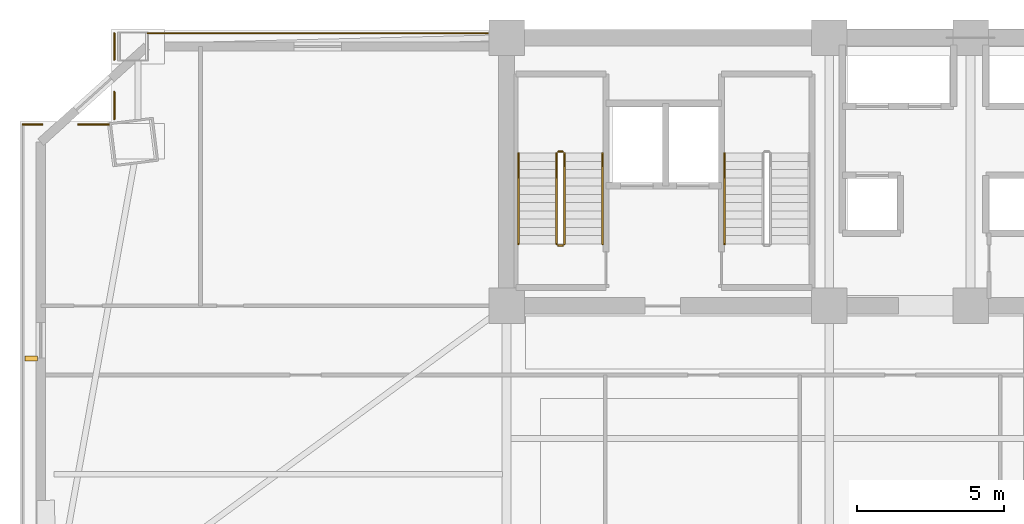
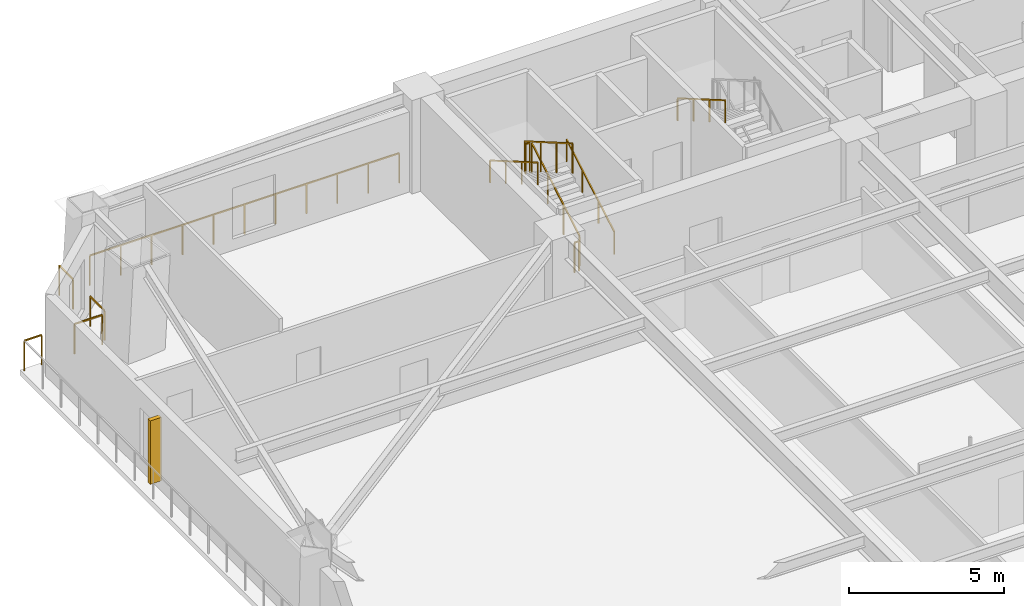
# One storey, part 14 of 16: 12 railings, 1 shading device.
"""IFC4 building model written with IfcOpenShell, lengths in metres."""

from ifc_helpers import new_model, si_unit, direction, frame, origin, origin_2d, place, context, subcontext, project, spatial, rectangle, extrude, source, transform, mapped, material, type_object, element, save


model = new_model("IFC4")

# Units and contexts
model_context = context("Model", 3, precision=1e-05, world=origin(), true_north=direction((0.0, 1.0)))
body_context = subcontext(model_context, "Body", "Model", "MODEL_VIEW")
ifc_project = project(units=[si_unit("LENGTHUNIT", "METRE"), si_unit("AREAUNIT", "SQUARE_METRE"), si_unit("VOLUMEUNIT", "CUBIC_METRE"), si_unit("PLANEANGLEUNIT", "RADIAN"), si_unit("MASSUNIT", "GRAM", prefix="KILO")], contexts=[model_context])

# Site, building, storey
site_placement = place(None, origin())
site = spatial("IfcSite", under=ifc_project, at=site_placement, CompositionType="ELEMENT")
building_placement = place(site_placement, origin())
building = spatial("IfcBuilding", under=site, at=building_placement, Name="Giltprow Tower", CompositionType="ELEMENT")
storey_placement = place(building_placement, frame((0.0, 0.0, 83.5)))
storey = spatial("IfcBuildingStorey", under=building, at=storey_placement, Name="L20", CompositionType="ELEMENT", Elevation=83.5)

# Railings
ifc_material = material(Name="Anodized bronze", Category="metal")
railing_type_1 = type_object("IfcRailingType", Name="RAIL-BALC-GUARD-1200", PredefinedType="BALUSTRADE", material=ifc_material)
railing_1_placement = place(storey_placement, frame((3.43994140625, 43.60400390625, 0.0)))
element("IfcRailing", 1, at=railing_1_placement, inside=storey, type_object=railing_type_1, Name="L20 Corner Apron Edge Balustrade 6", PredefinedType="BALUSTRADE", context=body_context, shape_type="SweptSolid", body=[
    extrude(rectangle(XDim=0.048095703125, YDim=0.048095703125, at=origin_2d()), frame((0.0, 0.0, 1.17578125), z_axis=(1.0, 0.0, 0.0), x_axis=(0.0, 1.0, 0.0)), (0.0, 0.0, 1.0), 0.653076171875),
    extrude(rectangle(XDim=0.0419921875, YDim=0.0419921875, at=origin_2d()), origin(), (0.0, 0.0, 1.0), 1.15185546875),
    extrude(rectangle(XDim=0.0419921875, YDim=0.0419921875, at=origin_2d()), frame((0.653076171875, 0.0, 0.0)), (0.0, 0.0, 1.0), 1.15185546875),
])
railing_2_placement = place(storey_placement, frame((5.31689453125, 43.60400390625, 0.0)))
element("IfcRailing", 2, at=railing_2_placement, inside=storey, type_object=railing_type_1, Name="L20 Corner Apron Edge Balustrade 7", PredefinedType="BALUSTRADE", context=body_context, shape_type="SweptSolid", body=[
    extrude(rectangle(XDim=0.048095703125, YDim=0.048095703125, at=origin_2d()), frame((0.0, 0.0, 1.17578125), z_axis=(1.0, 0.0, 0.0), x_axis=(0.0, 1.0, 0.0)), (0.0, 0.0, 1.0), 1.0341796875),
    extrude(rectangle(XDim=0.0419921875, YDim=0.0419921875, at=origin_2d()), origin(), (0.0, 0.0, 1.0), 1.15185546875),
    extrude(rectangle(XDim=0.0419921875, YDim=0.0419921875, at=origin_2d()), frame((1.0341796875, 0.0, 0.0)), (0.0, 0.0, 1.0), 1.15185546875),
])
railing_3_placement = place(storey_placement, frame((6.535888671875, 43.7890625, 0.0)))
element("IfcRailing", 3, at=railing_3_placement, inside=storey, type_object=railing_type_1, Name="L20 Corner Apron Edge Balustrade 8", PredefinedType="BALUSTRADE", context=body_context, shape_type="SweptSolid", body=[
    extrude(rectangle(XDim=0.048095703125, YDim=0.048095703125, at=origin_2d()), frame((0.0, 0.0, 1.17578125), z_axis=(0.0, 1.0, 0.0), x_axis=(-1.0, 0.0, 0.0)), (0.0, 0.0, 1.0), 0.916015625),
    extrude(rectangle(XDim=0.0419921875, YDim=0.0419921875, at=origin_2d()), origin(), (0.0, 0.0, 1.0), 1.15185546875),
    extrude(rectangle(XDim=0.0419921875, YDim=0.0419921875, at=origin_2d()), frame((0.0, 0.916015625, 0.0)), (0.0, 0.0, 1.0), 1.15185546875),
])
railing_4_placement = place(storey_placement, frame((6.535888671875, 45.80908203125, 0.0)))
element("IfcRailing", 4, at=railing_4_placement, inside=storey, type_object=railing_type_1, Name="L20 Corner Apron Edge Balustrade 9", PredefinedType="BALUSTRADE", context=body_context, shape_type="SweptSolid", body=[
    extrude(rectangle(XDim=0.048095703125, YDim=0.048095703125, at=origin_2d()), frame((0.0, 0.0, 1.17578125), z_axis=(0.0, 1.0, 0.0), x_axis=(-1.0, 0.0, 0.0)), (0.0, 0.0, 1.0), 0.890869140625),
    extrude(rectangle(XDim=0.0419921875, YDim=0.0419921875, at=origin_2d()), origin(), (0.0, 0.0, 1.0), 1.15185546875),
    extrude(rectangle(XDim=0.0419921875, YDim=0.0419921875, at=origin_2d()), frame((0.0, 0.890869140625, 0.0)), (0.0, 0.0, 1.0), 1.15185546875),
])
railing_5_placement = place(storey_placement, frame((7.6708984375, 46.699951171875, 0.0)))
element("IfcRailing", 5, at=railing_5_placement, inside=storey, type_object=railing_type_1, Name="L20 Corner Apron Edge Balustrade 10", PredefinedType="BALUSTRADE", context=body_context, shape_type="SweptSolid", body=[
    extrude(rectangle(XDim=0.048095703125, YDim=0.048095703125, at=origin_2d()), frame((0.0, 0.0, 1.17578125), z_axis=(1.0, 0.0, 0.0), x_axis=(0.0, 1.0, 0.0)), (0.0, 0.0, 1.0), 11.544189453125),
    extrude(rectangle(XDim=0.0419921875, YDim=0.0419921875, at=origin_2d()), origin(), (0.0, 0.0, 1.0), 1.15185546875),
    extrude(rectangle(XDim=0.0419921875, YDim=0.0419921875, at=origin_2d()), frame((1.154296875, 0.0, 0.0)), (0.0, 0.0, 1.0), 1.15185546875),
    extrude(rectangle(XDim=0.0419921875, YDim=0.0419921875, at=origin_2d()), frame((2.308837890625, 0.0, 0.0)), (0.0, 0.0, 1.0), 1.15185546875),
    extrude(rectangle(XDim=0.0419921875, YDim=0.0419921875, at=origin_2d()), frame((3.46337890625, 0.0, 0.0)), (0.0, 0.0, 1.0), 1.15185546875),
    extrude(rectangle(XDim=0.0419921875, YDim=0.0419921875, at=origin_2d()), frame((4.61767578125, 0.0, 0.0)), (0.0, 0.0, 1.0), 1.15185546875),
    extrude(rectangle(XDim=0.0419921875, YDim=0.0419921875, at=origin_2d()), frame((5.77197265625, 0.0, 0.0)), (0.0, 0.0, 1.0), 1.15185546875),
    extrude(rectangle(XDim=0.0419921875, YDim=0.0419921875, at=origin_2d()), frame((6.926513671875, 0.0, 0.0)), (0.0, 0.0, 1.0), 1.15185546875),
    extrude(rectangle(XDim=0.0419921875, YDim=0.0419921875, at=origin_2d()), frame((8.0810546875, 0.0, 0.0)), (0.0, 0.0, 1.0), 1.15185546875),
    extrude(rectangle(XDim=0.0419921875, YDim=0.0419921875, at=origin_2d()), frame((9.2353515625, 0.0, 0.0)), (0.0, 0.0, 1.0), 1.15185546875),
    extrude(rectangle(XDim=0.0419921875, YDim=0.0419921875, at=origin_2d()), frame((10.3896484375, 0.0, 0.0)), (0.0, 0.0, 1.0), 1.15185546875),
    extrude(rectangle(XDim=0.0419921875, YDim=0.0419921875, at=origin_2d()), frame((11.544189453125, 0.0, 0.0)), (0.0, 0.0, 1.0), 1.15185546875),
])
railing_type_2 = type_object("IfcRailingType", Name="RAIL-STAIR-GUARD-1200", PredefinedType="GUARDRAIL", material=ifc_material)
railing_6_placement = place(storey_placement, frame((21.81005859375, 39.550048828125, 0.16259765625)))
element("IfcRailing", 6, at=railing_6_placement, inside=storey, type_object=railing_type_2, Name="L20 ST-1 stair guard 1", PredefinedType="GUARDRAIL", context=body_context, shape_type="SweptSolid", body=[
    extrude(rectangle(XDim=0.048095703125, YDim=0.048095703125, at=origin_2d()), frame((0.0, 0.0, 1.17578125), z_axis=(0.0, 0.864903211148, 0.501938676878), x_axis=(-1.0, 0.0, 0.0)), (0.0, 0.0, 1.0), 3.560791015625),
    extrude(rectangle(XDim=0.0419921875, YDim=0.0419921875, at=origin_2d()), origin(), (0.0, 0.0, 1.0), 1.15185546875),
    extrude(rectangle(XDim=0.0419921875, YDim=0.0419921875, at=origin_2d()), frame((0.0, 1.026611328125, 0.595703125)), (0.0, 0.0, 1.0), 1.15185546875),
    extrude(rectangle(XDim=0.0419921875, YDim=0.0419921875, at=origin_2d()), frame((0.0, 2.05322265625, 1.191650390625)), (0.0, 0.0, 1.0), 1.15185546875),
    extrude(rectangle(XDim=0.0419921875, YDim=0.0419921875, at=origin_2d()), frame((0.0, 3.079833984375, 1.787353515625)), (0.0, 0.0, 1.0), 1.15185546875),
])
railing_7_placement = place(storey_placement, frame((21.760009765625, 42.679931640625, 1.949951171875)))
element("IfcRailing", 7, at=railing_7_placement, inside=storey, type_object=railing_type_2, Name="L20 ST-1 stair guard 2", PredefinedType="GUARDRAIL", context=body_context, shape_type="SweptSolid", body=[
    extrude(rectangle(XDim=0.048095703125, YDim=0.048095703125, at=origin_2d()), frame((0.0, 0.0, 1.17578125), z_axis=(-1.0, 0.0, 0.0), x_axis=(0.0, -1.0, 0.0)), (0.0, 0.0, 1.0), 0.159912109375),
    extrude(rectangle(XDim=0.0419921875, YDim=0.0419921875, at=origin_2d()), origin(), (0.0, 0.0, 1.0), 1.15185546875),
    extrude(rectangle(XDim=0.0419921875, YDim=0.0419921875, at=origin_2d()), frame((-0.159912109375, 0.0, 0.0)), (0.0, 0.0, 1.0), 1.15185546875),
])
railing_8_placement = place(storey_placement, frame((21.550048828125, 42.6298828125, 2.112548828125)))
element("IfcRailing", 8, at=railing_8_placement, inside=storey, type_object=railing_type_2, Name="L20 ST-1 stair guard 3", PredefinedType="GUARDRAIL", context=body_context, shape_type="SweptSolid", body=[
    extrude(rectangle(XDim=0.048095703125, YDim=0.048095703125, at=origin_2d()), frame((0.0, 0.0, 1.17578125), z_axis=(0.0, -0.864903211148, 0.501938676878), x_axis=(1.0, 0.0, 0.0)), (0.0, 0.0, 1.0), 3.560791015625),
    extrude(rectangle(XDim=0.0419921875, YDim=0.0419921875, at=origin_2d()), origin(), (0.0, 0.0, 1.0), 1.15185546875),
    extrude(rectangle(XDim=0.0419921875, YDim=0.0419921875, at=origin_2d()), frame((0.0, -1.026611328125, 0.595703125)), (0.0, 0.0, 1.0), 1.15185546875),
    extrude(rectangle(XDim=0.0419921875, YDim=0.0419921875, at=origin_2d()), frame((0.0, -2.05322265625, 1.191650390625)), (0.0, 0.0, 1.0), 1.15185546875),
    extrude(rectangle(XDim=0.0419921875, YDim=0.0419921875, at=origin_2d()), frame((0.0, -3.079833984375, 1.787353515625)), (0.0, 0.0, 1.0), 1.15185546875),
])
railing_9_placement = place(storey_placement, frame((21.760009765625, 39.5, 0.0)))
element("IfcRailing", 9, at=railing_9_placement, inside=storey, type_object=railing_type_2, Name="L20 ST-1 stair guard 4", PredefinedType="GUARDRAIL", context=body_context, shape_type="SweptSolid", body=[
    extrude(rectangle(XDim=0.048095703125, YDim=0.048095703125, at=origin_2d()), frame((0.0, 0.0, 1.17578125), z_axis=(-1.0, 0.0, 0.0), x_axis=(0.0, -1.0, 0.0)), (0.0, 0.0, 1.0), 0.159912109375),
    extrude(rectangle(XDim=0.0419921875, YDim=0.0419921875, at=origin_2d()), origin(), (0.0, 0.0, 1.0), 1.15185546875),
    extrude(rectangle(XDim=0.0419921875, YDim=0.0419921875, at=origin_2d()), frame((-0.159912109375, 0.0, 0.0)), (0.0, 0.0, 1.0), 1.15185546875),
])
railing_type_3 = type_object("IfcRailingType", Name="RAIL-STAIR-HAND-900", PredefinedType="HANDRAIL", material=ifc_material)
railing_10_placement = place(storey_placement, frame((23.110107421875, 39.550048828125, 0.16259765625)))
element("IfcRailing", 10, at=railing_10_placement, inside=storey, type_object=railing_type_3, Name="L20 ST-1 stair handrail 1", PredefinedType="HANDRAIL", context=body_context, shape_type="SweptSolid", body=[
    extrude(rectangle(XDim=0.048095703125, YDim=0.048095703125, at=origin_2d()), frame((0.0, 0.0, 0.8759765625), z_axis=(0.0, 0.864903211148, 0.501938676878), x_axis=(-1.0, 0.0, 0.0)), (0.0, 0.0, 1.0), 3.560791015625),
    extrude(rectangle(XDim=0.0419921875, YDim=0.0419921875, at=origin_2d()), origin(), (0.0, 0.0, 1.0), 0.851806640625),
    extrude(rectangle(XDim=0.0419921875, YDim=0.0419921875, at=origin_2d()), frame((0.0, 1.026611328125, 0.595703125)), (0.0, 0.0, 1.0), 0.851806640625),
    extrude(rectangle(XDim=0.0419921875, YDim=0.0419921875, at=origin_2d()), frame((0.0, 2.05322265625, 1.191650390625)), (0.0, 0.0, 1.0), 0.851806640625),
    extrude(rectangle(XDim=0.0419921875, YDim=0.0419921875, at=origin_2d()), frame((0.0, 3.079833984375, 1.787353515625)), (0.0, 0.0, 1.0), 0.851806640625),
])
for number, where, name in (
    (11, (20.25, 42.6298828125, 2.112548828125), "L20 ST-1 stair handrail 2"),
    (12, (27.25, 42.6298828125, 2.112548828125), "L20 ST-2 stair handrail 2"),
):
    element("IfcRailing", number, at=place(storey_placement, frame(where)), inside=storey, type_object=railing_type_3, Name=name, PredefinedType="HANDRAIL", context=body_context, shape_type="SweptSolid", body=[
        extrude(rectangle(XDim=0.048095703125, YDim=0.048095703125, at=origin_2d()), frame((0.0, 0.0, 0.8759765625), z_axis=(0.0, -0.864903211148, 0.501938676878), x_axis=(1.0, 0.0, 0.0)), (0.0, 0.0, 1.0), 3.560791015625),
        extrude(rectangle(XDim=0.0419921875, YDim=0.0419921875, at=origin_2d()), origin(), (0.0, 0.0, 1.0), 0.851806640625),
        extrude(rectangle(XDim=0.0419921875, YDim=0.0419921875, at=origin_2d()), frame((0.0, -1.026611328125, 0.595703125)), (0.0, 0.0, 1.0), 0.851806640625),
        extrude(rectangle(XDim=0.0419921875, YDim=0.0419921875, at=origin_2d()), frame((0.0, -2.05322265625, 1.191650390625)), (0.0, 0.0, 1.0), 0.851806640625),
        extrude(rectangle(XDim=0.0419921875, YDim=0.0419921875, at=origin_2d()), frame((0.0, -3.079833984375, 1.787353515625)), (0.0, 0.0, 1.0), 0.851806640625),
    ])

# Shading device
shading_device_type = type_object("IfcShadingDeviceType", Name="SHD-FIN-420", PredefinedType="USERDEFINED", material=ifc_material)
shared_shape = source(origin(), body_context, "Body", "SweptSolid", [
    extrude(rectangle(XDim=0.419921875, YDim=0.159912109375, at=origin_2d()), origin(), (0.0, 0.0, 1.0), 2.5),
])
shading_device_placement = place(storey_placement, frame((3.719970703125, 35.659912109375, 0.35009765625), z_axis=(0.0, 0.0, 1.0), x_axis=(1.0, 0.0, 0.0)))
element("IfcShadingDevice", 13, at=shading_device_placement, inside=storey, type_object=shading_device_type, Name="L20 W Bronze Vertical Fin 2-1", ObjectType="FIN", PredefinedType="USERDEFINED", context=body_context, shape_type="MappedRepresentation", body=[
    mapped(shared_shape, transform((0.0, 0.0, 0.0), x_axis=(1.0, 0.0, 0.0), y_axis=(0.0, 1.0, 0.0), z_axis=(0.0, 0.0, 1.0), scale=1.0)),
])

save(model, "model.ifc")
